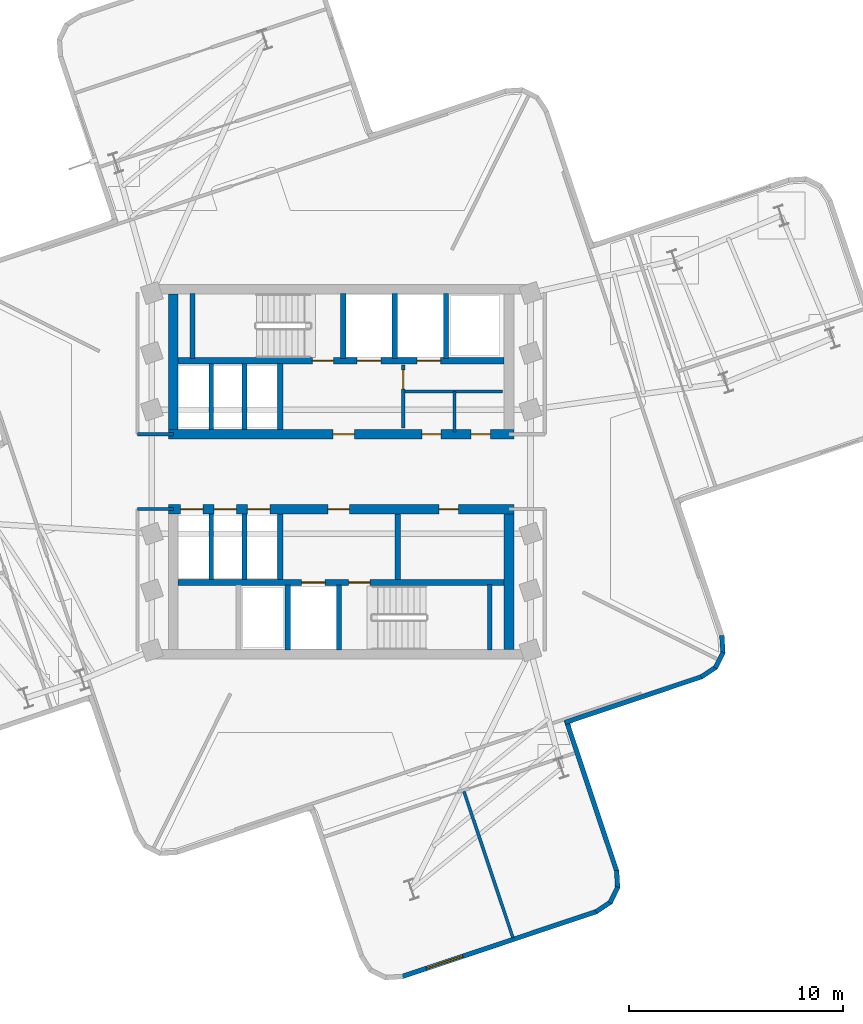
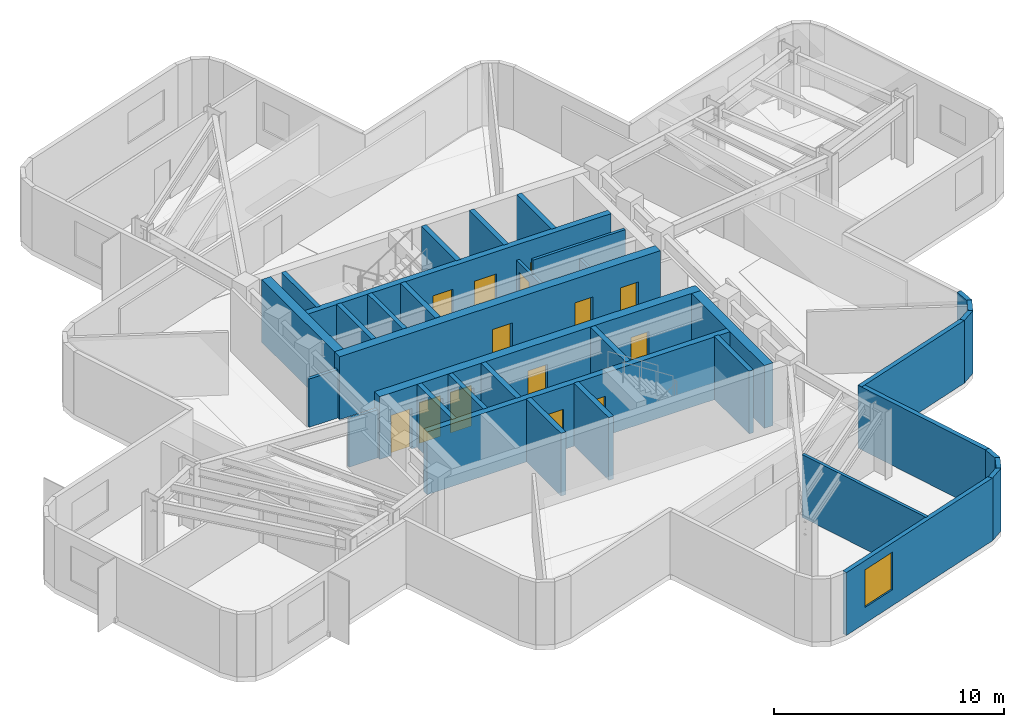
# One storey, part 3 of 8: 35 walls, 14 doors, 1 window, 15 openings.
"""IFC4 building model written with IfcOpenShell, lengths in metres."""

from ifc_helpers import new_model, si_unit, direction, frame, frame_2d, origin, place, context, subcontext, project, spatial, rectangle, extrude, material, layer, layer_set, type_object, element, fill, save


model = new_model("IFC4")

# Units and contexts
model_context = context("Model", 3, precision=1e-05, world=origin(), true_north=direction((0.0, 1.0)))
body_context = subcontext(model_context, "Body", "Model", "MODEL_VIEW")
ifc_project = project(units=[si_unit("LENGTHUNIT", "METRE"), si_unit("AREAUNIT", "SQUARE_METRE"), si_unit("VOLUMEUNIT", "CUBIC_METRE"), si_unit("PLANEANGLEUNIT", "RADIAN"), si_unit("MASSUNIT", "GRAM", prefix="KILO")], contexts=[model_context])

# Site, building, storey
site_placement = place(None, origin())
site = spatial("IfcSite", under=ifc_project, at=site_placement, CompositionType="ELEMENT")
building_placement = place(site_placement, origin())
building = spatial("IfcBuilding", under=site, at=building_placement, Name="Solmarez Civic Tower", CompositionType="ELEMENT")
storey_placement = place(building_placement, frame((0.0, 0.0, 159.47998046875)))
storey = spatial("IfcBuildingStorey", under=building, at=storey_placement, Name="L42", CompositionType="ELEMENT", Elevation=159.47998046875)

# Wall, openings, doors
ifc_material_1 = material(Name="Concrete C50/60", Category="concrete")
ifc_layer_1 = layer(ifc_material_1, 0.449951171875)
ifc_layer_set_1 = layer_set([ifc_layer_1], Name="Concrete C50/60")
wall_type_1 = type_object("IfcWallType", Name="WALL-CORE-450", PredefinedType="SHEAR", material=ifc_layer_set_1)
wall_1_placement = place(storey_placement, frame((8.070068359375, 1.75, 0.0), z_axis=(0.0, 0.0, 1.0), x_axis=(-1.0, 0.0, 0.0)))
wall_1 = element("IfcWall", 1, at=wall_1_placement, inside=storey, type_object=wall_type_1, Name="L42 Split-Core Structural Wall NCW-S-L42", PredefinedType="SHEAR", context=body_context, shape_type="SweptSolid", body=[
    extrude(rectangle(XDim=16.14013671875, YDim=0.449951171875, at=frame_2d((8.070068359375, 0.0))), origin(), (0.0, 0.0, 1.0), 3.340087890625),
])
opening_1_placement = place(wall_1_placement, frame((7.449951171875, 0.0, 0.0)))
opening_1 = element("IfcOpeningElement", 2, at=opening_1_placement, cuts=wall_1, Name="Opening D-04", PredefinedType="OPENING", context=body_context, shape_type="SweptSolid", body=[
    extrude(rectangle(XDim=1.0, YDim=2.10009765625, at=frame_2d((0.5, 1.050048828125))), frame((0.0, 0.23486328125, 0.0), z_axis=(0.0, -1.0, 0.0), x_axis=(1.0, 0.0, 0.0)), (0.0, 0.0, 1.0), 0.469970703125),
])
opening_2_placement = place(wall_1_placement, frame((3.39990234375, 0.0, 0.0)))
opening_2 = element("IfcOpeningElement", 3, at=opening_2_placement, cuts=wall_1, Name="Opening D-09", PredefinedType="OPENING", context=body_context, shape_type="SweptSolid", body=[
    extrude(rectangle(XDim=0.89990234375, YDim=2.06005859375, at=frame_2d((0.449951171875, 1.030029296875))), frame((0.0, 0.23486328125, 0.0), z_axis=(0.0, -1.0, 0.0), x_axis=(1.0, 0.0, 0.0)), (0.0, 0.0, 1.0), 0.469970703125),
])
opening_3_placement = place(wall_1_placement, frame((1.10009765625, 0.0, 0.0)))
opening_3 = element("IfcOpeningElement", 4, at=opening_3_placement, cuts=wall_1, Name="Opening D-09", PredefinedType="OPENING", context=body_context, shape_type="SweptSolid", body=[
    extrude(rectangle(XDim=0.89990234375, YDim=2.06005859375, at=frame_2d((0.449951171875, 1.030029296875))), frame((0.0, 0.23486328125, 0.0), z_axis=(0.0, -1.0, 0.0), x_axis=(1.0, 0.0, 0.0)), (0.0, 0.0, 1.0), 0.469970703125),
])
ifc_material_2 = material(Name="Steel-Faced Acoustic Fire Door", Category="steel")
door_type_1 = type_object("IfcDoorType", Name="DOOR-FD60-1000", OperationType="NOTDEFINED", PredefinedType="DOOR", material=ifc_material_2)
door_1_placement = place(opening_1_placement, origin())
door_1 = element("IfcDoor", 5, at=door_1_placement, inside=storey, type_object=door_type_1, Name="L42 North Firefighting Lobby Door", OperationType="SINGLE_SWING_LEFT", OverallHeight=2.10009765625, OverallWidth=1.0, PredefinedType="DOOR", context=body_context, shape_type="SweptSolid", body=[
    extrude(rectangle(XDim=1.0, YDim=2.10009765625, at=frame_2d((0.5, 1.050048828125))), frame((0.0, 0.02490234375, 0.0), z_axis=(0.0, -1.0, 0.0), x_axis=(1.0, 0.0, 0.0)), (0.0, 0.0, 1.0), 0.050048828125),
])
fill(opening_1, door_1)
ifc_material_3 = material(Name="Fire-Rated Service Core Door", Category="wood")
door_type_2 = type_object("IfcDoorType", Name="DOOR-FD60-900", OperationType="NOTDEFINED", PredefinedType="DOOR", material=ifc_material_3)
door_2_placement = place(opening_2_placement, origin())
door_2 = element("IfcDoor", 6, at=door_2_placement, inside=storey, type_object=door_type_2, Name="L42 Core WC Door", OperationType="SINGLE_SWING_LEFT", OverallHeight=2.06005859375, OverallWidth=0.89990234375, PredefinedType="DOOR", context=body_context, shape_type="SweptSolid", body=[
    extrude(rectangle(XDim=0.89990234375, YDim=2.06005859375, at=frame_2d((0.449951171875, 1.030029296875))), frame((0.0, 0.02490234375, 0.0), z_axis=(0.0, -1.0, 0.0), x_axis=(1.0, 0.0, 0.0)), (0.0, 0.0, 1.0), 0.050048828125),
])
fill(opening_2, door_2)
door_3_placement = place(opening_3_placement, origin())
door_3 = element("IfcDoor", 7, at=door_3_placement, inside=storey, type_object=door_type_2, Name="L42 Core CL Door", OperationType="SINGLE_SWING_RIGHT", OverallHeight=2.06005859375, OverallWidth=0.89990234375, PredefinedType="DOOR", context=body_context, shape_type="SweptSolid", body=[
    extrude(rectangle(XDim=0.89990234375, YDim=2.06005859375, at=frame_2d((0.449951171875, 1.030029296875))), frame((0.0, 0.02490234375, 0.0), z_axis=(0.0, -1.0, 0.0), x_axis=(1.0, 0.0, 0.0)), (0.0, 0.0, 1.0), 0.050048828125),
])
fill(opening_3, door_3)

# Wall
wall_2_placement = place(storey_placement, frame((-7.844970703125, 1.97509765625, 0.0), z_axis=(0.0, 0.0, 1.0), x_axis=(0.0, 1.0, 0.0)))
element("IfcWall", 8, at=wall_2_placement, inside=storey, type_object=wall_type_1, Name="L42 Split-Core Structural Wall NCW-W-L42", PredefinedType="SHEAR", context=body_context, shape_type="SweptSolid", body=[
    extrude(rectangle(XDim=6.3349609375, YDim=0.449951171875, at=frame_2d((3.16748046875, 0.0))), origin(), (0.0, 0.0, 1.0), 3.340087890625),
])

# Wall, openings, doors
wall_3_placement = place(storey_placement, frame((-8.070068359375, -1.75, 0.0), z_axis=(0.0, 0.0, 1.0), x_axis=(1.0, 0.0, 0.0)))
wall_3 = element("IfcWall", 9, at=wall_3_placement, inside=storey, type_object=wall_type_1, Name="L42 Split-Core Structural Wall SCW-N-L42", PredefinedType="SHEAR", context=body_context, shape_type="SweptSolid", body=[
    extrude(rectangle(XDim=16.14013671875, YDim=0.449951171875, at=frame_2d((8.070068359375, 0.0))), origin(), (0.0, 0.0, 1.0), 3.340087890625),
])
opening_4_placement = place(wall_3_placement, frame((7.449951171875, 0.0, 0.0)))
opening_4 = element("IfcOpeningElement", 10, at=opening_4_placement, cuts=wall_3, Name="Opening D-04", PredefinedType="OPENING", context=body_context, shape_type="SweptSolid", body=[
    extrude(rectangle(XDim=1.0, YDim=2.10009765625, at=frame_2d((0.5, 1.050048828125))), frame((0.0, 0.23486328125, 0.0), z_axis=(0.0, -1.0, 0.0), x_axis=(1.0, 0.0, 0.0)), (0.0, 0.0, 1.0), 0.469970703125),
])
opening_5_placement = place(wall_3_placement, frame((12.64990234375, 0.0, 0.0)))
opening_5 = element("IfcOpeningElement", 11, at=opening_5_placement, cuts=wall_3, Name="Opening D-09", PredefinedType="OPENING", context=body_context, shape_type="SweptSolid", body=[
    extrude(rectangle(XDim=0.89990234375, YDim=2.06005859375, at=frame_2d((0.449951171875, 1.030029296875))), frame((0.0, 0.23486328125, 0.0), z_axis=(0.0, -1.0, 0.0), x_axis=(1.0, 0.0, 0.0)), (0.0, 0.0, 1.0), 0.469970703125),
])
opening_6_placement = place(wall_3_placement, frame((0.56494140625, 0.0, 0.0)))
opening_6 = element("IfcOpeningElement", 12, at=opening_6_placement, cuts=wall_3, Name="Opening LD-01", PredefinedType="OPENING", context=body_context, shape_type="SweptSolid", body=[
    extrude(rectangle(XDim=1.050048828125, YDim=2.14990234375, at=frame_2d((0.52490234375, 1.074951171875))), frame((0.0, 0.23486328125, 0.0), z_axis=(0.0, -1.0, 0.0), x_axis=(1.0, 0.0, 0.0)), (0.0, 0.0, 1.0), 0.469970703125),
])
opening_7_placement = place(wall_3_placement, frame((2.125, 0.0, 0.0)))
opening_7 = element("IfcOpeningElement", 13, at=opening_7_placement, cuts=wall_3, Name="Opening LD-01", PredefinedType="OPENING", context=body_context, shape_type="SweptSolid", body=[
    extrude(rectangle(XDim=1.050048828125, YDim=2.14990234375, at=frame_2d((0.52490234375, 1.074951171875))), frame((0.0, 0.23486328125, 0.0), z_axis=(0.0, -1.0, 0.0), x_axis=(1.0, 0.0, 0.0)), (0.0, 0.0, 1.0), 0.469970703125),
])
opening_8_placement = place(wall_3_placement, frame((3.68505859375, 0.0, 0.0)))
opening_8 = element("IfcOpeningElement", 14, at=opening_8_placement, cuts=wall_3, Name="Opening LD-01", PredefinedType="OPENING", context=body_context, shape_type="SweptSolid", body=[
    extrude(rectangle(XDim=1.050048828125, YDim=2.14990234375, at=frame_2d((0.52490234375, 1.074951171875))), frame((0.0, 0.23486328125, 0.0), z_axis=(0.0, -1.0, 0.0), x_axis=(1.0, 0.0, 0.0)), (0.0, 0.0, 1.0), 0.469970703125),
])
door_4_placement = place(opening_4_placement, origin())
door_4 = element("IfcDoor", 15, at=door_4_placement, inside=storey, type_object=door_type_1, Name="L42 South Firefighting Lobby Door", OperationType="SINGLE_SWING_RIGHT", OverallHeight=2.10009765625, OverallWidth=1.0, PredefinedType="DOOR", context=body_context, shape_type="SweptSolid", body=[
    extrude(rectangle(XDim=1.0, YDim=2.10009765625, at=frame_2d((0.5, 1.050048828125))), frame((0.0, 0.02490234375, 0.0), z_axis=(0.0, -1.0, 0.0), x_axis=(1.0, 0.0, 0.0)), (0.0, 0.0, 1.0), 0.050048828125),
])
fill(opening_4, door_4)
door_5_placement = place(opening_5_placement, origin())
door_5 = element("IfcDoor", 16, at=door_5_placement, inside=storey, type_object=door_type_2, Name="L42 Freed Hoistway Mailroom Door", OperationType="SINGLE_SWING_LEFT", OverallHeight=2.06005859375, OverallWidth=0.89990234375, PredefinedType="DOOR", context=body_context, shape_type="SweptSolid", body=[
    extrude(rectangle(XDim=0.89990234375, YDim=2.06005859375, at=frame_2d((0.449951171875, 1.030029296875))), frame((0.0, 0.02490234375, 0.0), z_axis=(0.0, -1.0, 0.0), x_axis=(1.0, 0.0, 0.0)), (0.0, 0.0, 1.0), 0.050048828125),
])
fill(opening_5, door_5)
ifc_material_4 = material(Name="Bronze Passenger Lift Landing Sliding Door", Category="aluminium")
door_type_3 = type_object("IfcDoorType", Name="DOOR-LD-PAX-1050", OperationType="DOUBLE_DOOR_SLIDING", PredefinedType="DOOR", material=ifc_material_4)
door_6_placement = place(opening_6_placement, origin())
door_6 = element("IfcDoor", 17, at=door_6_placement, inside=storey, type_object=door_type_3, Name="L42 Mid-Rise Lift Landing Door PL-M1", OperationType="DOUBLE_DOOR_SLIDING", OverallHeight=2.14990234375, OverallWidth=1.050048828125, PredefinedType="DOOR", context=body_context, shape_type="SweptSolid", body=[
    extrude(rectangle(XDim=1.050048828125, YDim=2.14990234375, at=frame_2d((0.52490234375, 1.074951171875))), frame((0.0, 0.02490234375, 0.0), z_axis=(0.0, -1.0, 0.0), x_axis=(1.0, 0.0, 0.0)), (0.0, 0.0, 1.0), 0.050048828125),
])
fill(opening_6, door_6)
door_7_placement = place(opening_7_placement, origin())
door_7 = element("IfcDoor", 18, at=door_7_placement, inside=storey, type_object=door_type_3, Name="L42 Mid-Rise Lift Landing Door PL-M2", OperationType="DOUBLE_DOOR_SLIDING", OverallHeight=2.14990234375, OverallWidth=1.050048828125, PredefinedType="DOOR", context=body_context, shape_type="SweptSolid", body=[
    extrude(rectangle(XDim=1.050048828125, YDim=2.14990234375, at=frame_2d((0.52490234375, 1.074951171875))), frame((0.0, 0.02490234375, 0.0), z_axis=(0.0, -1.0, 0.0), x_axis=(1.0, 0.0, 0.0)), (0.0, 0.0, 1.0), 0.050048828125),
])
fill(opening_7, door_7)
door_8_placement = place(opening_8_placement, origin())
door_8 = element("IfcDoor", 19, at=door_8_placement, inside=storey, type_object=door_type_3, Name="L42 Mid-Rise Lift Landing Door PL-M3", OperationType="DOUBLE_DOOR_SLIDING", OverallHeight=2.14990234375, OverallWidth=1.050048828125, PredefinedType="DOOR", context=body_context, shape_type="SweptSolid", body=[
    extrude(rectangle(XDim=1.050048828125, YDim=2.14990234375, at=frame_2d((0.52490234375, 1.074951171875))), frame((0.0, 0.02490234375, 0.0), z_axis=(0.0, -1.0, 0.0), x_axis=(1.0, 0.0, 0.0)), (0.0, 0.0, 1.0), 0.050048828125),
])
fill(opening_8, door_8)

# Walls
wall_4_placement = place(storey_placement, frame((7.844970703125, -1.97509765625, 0.0), z_axis=(0.0, 0.0, 1.0), x_axis=(0.0, -1.0, 0.0)))
element("IfcWall", 20, at=wall_4_placement, inside=storey, type_object=wall_type_1, Name="L42 Split-Core Structural Wall SCW-E-L42", PredefinedType="SHEAR", context=body_context, shape_type="SweptSolid", body=[
    extrude(rectangle(XDim=6.3349609375, YDim=0.449951171875, at=frame_2d((3.16748046875, 0.0))), origin(), (0.0, 0.0, 1.0), 3.340087890625),
])
ifc_material_5 = material(Name="Precast concrete C40/50", Category="concrete")
ifc_layer_2 = layer(ifc_material_5, 0.219970703125)
ifc_layer_set_2 = layer_set([ifc_layer_2], Name="Precast concrete C40/50")
wall_type_2 = type_object("IfcWallType", Name="WALL-EXT-220", PredefinedType="SOLIDWALL", material=ifc_layer_set_2)
wall_5_placement = place(storey_placement, frame((17.7958984375, -7.659912109375, 0.0), z_axis=(0.0, 0.0, 1.0), x_axis=(0.062305442082, -0.998057128569, 0.0)))
element("IfcWall", 21, at=wall_5_placement, inside=storey, type_object=wall_type_2, Name="L42 Exterior Precast Wall 50", PredefinedType="SOLIDWALL", context=body_context, shape_type="SweptSolid", body=[
    extrude(rectangle(XDim=0.834716796875, YDim=0.219970703125, at=frame_2d((0.41748046875, 0.0))), origin(), (0.0, 0.0, 1.0), 3.340087890625),
])
wall_6_placement = place(storey_placement, frame((17.85693359375, -8.446044921875, 0.0), z_axis=(0.0, 0.0, 1.0), x_axis=(-0.446258139106, -0.894904281631, 0.0)))
element("IfcWall", 22, at=wall_6_placement, inside=storey, type_object=wall_type_2, Name="L42 Exterior Precast Wall 51", PredefinedType="SOLIDWALL", context=body_context, shape_type="SweptSolid", body=[
    extrude(rectangle(XDim=0.81787109375, YDim=0.219970703125, at=frame_2d((0.408935546875, 0.0))), origin(), (0.0, 0.0, 1.0), 3.340087890625),
])
wall_7_placement = place(storey_placement, frame((17.52392578125, -9.14208984375, 0.0), z_axis=(0.0, 0.0, 1.0), x_axis=(-0.833756011094, -0.552133058206, 0.0)))
element("IfcWall", 23, at=wall_7_placement, inside=storey, type_object=wall_type_2, Name="L42 Exterior Precast Wall 52", PredefinedType="SOLIDWALL", context=body_context, shape_type="SweptSolid", body=[
    extrude(rectangle(XDim=0.834716796875, YDim=0.219970703125, at=frame_2d((0.41748046875, 0.0))), origin(), (0.0, 0.0, 1.0), 3.340087890625),
])
wall_8_placement = place(storey_placement, frame((16.873046875, -9.5810546875, 0.0), z_axis=(0.0, 0.0, 1.0), x_axis=(-0.94829606055, -0.317387116224, 0.0)))
element("IfcWall", 24, at=wall_8_placement, inside=storey, type_object=wall_type_2, Name="L42 Exterior Precast Wall 53", PredefinedType="SOLIDWALL", context=body_context, shape_type="SweptSolid", body=[
    extrude(rectangle(XDim=6.75830078125, YDim=0.219970703125, at=frame_2d((3.379150390625, 0.0))), origin(), (0.0, 0.0, 1.0), 3.340087890625),
])
wall_9_placement = place(storey_placement, frame((10.51904296875, -11.614990234375, 0.0), z_axis=(0.0, 0.0, 1.0), x_axis=(0.317347016501, -0.948309480664, 0.0)))
element("IfcWall", 25, at=wall_9_placement, inside=storey, type_object=wall_type_2, Name="L42 Exterior Precast Wall 56", PredefinedType="SOLIDWALL", context=body_context, shape_type="SweptSolid", body=[
    extrude(rectangle(XDim=7.45849609375, YDim=0.219970703125, at=frame_2d((3.729248046875, 0.0))), origin(), (0.0, 0.0, 1.0), 3.340087890625),
])
wall_10_placement = place(storey_placement, frame((12.876953125, -18.638916015625, 0.0), z_axis=(0.0, 0.0, 1.0), x_axis=(0.05880777677, -0.998269325078, 0.0)))
element("IfcWall", 26, at=wall_10_placement, inside=storey, type_object=wall_type_2, Name="L42 Exterior Precast Wall 57", PredefinedType="SOLIDWALL", context=body_context, shape_type="SweptSolid", body=[
    extrude(rectangle(XDim=0.83447265625, YDim=0.219970703125, at=frame_2d((0.417236328125, 0.0))), origin(), (0.0, 0.0, 1.0), 3.340087890625),
])
wall_11_placement = place(storey_placement, frame((12.93603515625, -19.425048828125, 0.0), z_axis=(0.0, 0.0, 1.0), x_axis=(-0.446258139106, -0.894904281631, 0.0)))
element("IfcWall", 27, at=wall_11_placement, inside=storey, type_object=wall_type_2, Name="L42 Exterior Precast Wall 58", PredefinedType="SOLIDWALL", context=body_context, shape_type="SweptSolid", body=[
    extrude(rectangle(XDim=0.81787109375, YDim=0.219970703125, at=frame_2d((0.408935546875, 0.0))), origin(), (0.0, 0.0, 1.0), 3.340087890625),
])
wall_12_placement = place(storey_placement, frame((12.60302734375, -20.12109375, 0.0), z_axis=(0.0, 0.0, 1.0), x_axis=(-0.833756011094, -0.552133058206, 0.0)))
element("IfcWall", 28, at=wall_12_placement, inside=storey, type_object=wall_type_2, Name="L42 Exterior Precast Wall 59", PredefinedType="SOLIDWALL", context=body_context, shape_type="SweptSolid", body=[
    extrude(rectangle(XDim=0.834716796875, YDim=0.219970703125, at=frame_2d((0.41748046875, 0.0))), origin(), (0.0, 0.0, 1.0), 3.340087890625),
])

# Wall, opening, window
wall_13_placement = place(storey_placement, frame((11.951904296875, -20.56005859375, 0.0), z_axis=(0.0, 0.0, 1.0), x_axis=(-0.94831980895, -0.317316151421, 0.0)))
wall_13 = element("IfcWall", 29, at=wall_13_placement, inside=storey, type_object=wall_type_2, Name="L42 Exterior Precast Wall 60", PredefinedType="SOLIDWALL", context=body_context, shape_type="SweptSolid", body=[
    extrude(rectangle(XDim=9.621337890625, YDim=0.219970703125, at=frame_2d((4.810546875, 0.0))), origin(), (0.0, 0.0, 1.0), 3.340087890625),
])
opening_9_placement = place(wall_13_placement, frame((6.60498046875, 0.0, 0.85009765625)))
opening_9 = element("IfcOpeningElement", 30, at=opening_9_placement, cuts=wall_13, Name="Opening W-04", PredefinedType="OPENING", context=body_context, shape_type="SweptSolid", body=[
    extrude(rectangle(XDim=1.800048828125, YDim=2.0, at=frame_2d((0.89990234375, 1.0))), frame((0.0, 0.119873046875, 0.0), z_axis=(0.0, -1.0, 0.0), x_axis=(1.0, 0.0, 0.0)), (0.0, 0.0, 1.0), 0.239990234375),
])
ifc_material_6 = material(Name="Solar Control Bronze-Tinted Insulating Glass", Category="glass")
window_type = type_object("IfcWindowType", Name="WIN-1800X2000", PartitioningType="SINGLE_PANEL", PredefinedType="WINDOW", material=ifc_material_6)
window_placement = place(opening_9_placement, origin())
window = element("IfcWindow", 31, at=window_placement, inside=storey, type_object=window_type, Name="L42 Exterior Facade Window 60", OverallHeight=2.0, OverallWidth=1.800048828125, PartitioningType="SINGLE_PANEL", PredefinedType="WINDOW", context=body_context, shape_type="SweptSolid", body=[
    extrude(rectangle(XDim=1.800048828125, YDim=2.0, at=frame_2d((0.89990234375, 1.0))), frame((0.0, 0.030029296875, 0.0), z_axis=(0.0, -1.0, 0.0), x_axis=(1.0, 0.0, 0.0)), (0.0, 0.0, 1.0), 0.06005859375),
])
fill(opening_9, window)

# Walls
ifc_material_7 = material(Name="Gypsum Board Acoustic Steel-Stud Partition", Category="steel")
ifc_layer_3 = layer(ifc_material_7, 0.14990234375)
ifc_layer_set_3 = layer_set([ifc_layer_3], Name="Gypsum Board Acoustic Steel-Stud Partition")
wall_type_3 = type_object("IfcWallType", Name="WALL-INT-FIRE-150", PredefinedType="PARTITIONING", material=ifc_layer_set_3)
for number, where, z_axis, x_axis, name in (
    (32, (-7.85009765625, 1.75, 0.0), (0.0, 0.0, 1.0), (-1.0, 0.0, 0.0), "L42 Interior Partition CHW-L42-WN3"),
    (33, (-7.85009765625, -1.75, 0.0), (0.0, 0.0, 1.0), (-1.0, 0.0, 0.0), "L42 Interior Partition CHW-L42-WS3"),
):
    element("IfcWall", number, at=place(storey_placement, frame(where, z_axis=z_axis, x_axis=x_axis)), inside=storey, type_object=wall_type_3, Name=name, PredefinedType="PARTITIONING", context=body_context, shape_type="SweptSolid", body=[
        extrude(rectangle(XDim=1.669921875, YDim=0.14990234375, at=frame_2d((0.8349609375, 0.0))), origin(), (0.0, 0.0, 1.0), 2.570068359375),
    ])
ifc_layer_4 = layer(ifc_material_7, 0.14501953125)
ifc_layer_set_4 = layer_set([ifc_layer_4], Name="Gypsum Board Acoustic Steel-Stud Partition")
wall_type_4 = type_object("IfcWallType", Name="WALL-INT-PART-150", PredefinedType="PARTITIONING", material=ifc_layer_set_4)
wall_14_placement = place(storey_placement, frame((5.740966796875, -14.950927734375, 0.0), z_axis=(0.0, 0.0, 1.0), x_axis=(0.317273194857, -0.948334181513, 0.0)))
element("IfcWall", 34, at=wall_14_placement, inside=storey, type_object=wall_type_4, Name="L42 Interior Partition PT-L42-S-TM3", PredefinedType="PARTITIONING", context=body_context, shape_type="SweptSolid", body=[
    extrude(rectangle(XDim=7.21484375, YDim=0.14501953125, at=frame_2d((3.607421875, 0.0))), origin(), (0.0, 0.0, 1.0), 3.340087890625),
])

# Wall, opening, door
ifc_layer_5 = layer(ifc_material_7, 0.159912109375)
ifc_layer_set_5 = layer_set([ifc_layer_5], Name="Gypsum Board Acoustic Steel-Stud Partition")
wall_type_5 = type_object("IfcWallType", Name="WALL-INT-SHAFT-160", PredefinedType="PARTITIONING", material=ifc_layer_set_5)
wall_15_placement = place(storey_placement, frame((2.89990234375, 2.0400390625, 0.0), z_axis=(0.0, 0.0, 1.0), x_axis=(0.0, 1.0, 0.0)))
wall_15 = element("IfcWall", 35, at=wall_15_placement, inside=storey, type_object=wall_type_5, Name="L42 Interior Partition SHW-NL2-L42", PredefinedType="PARTITIONING", context=body_context, shape_type="SweptSolid", body=[
    extrude(rectangle(XDim=2.93994140625, YDim=0.159912109375, at=frame_2d((1.469970703125, 0.0))), origin(), (0.0, 0.0, 1.0), 2.570068359375),
])
opening_10_placement = place(wall_15_placement, frame((1.820068359375, 0.0, 0.0)))
opening_10 = element("IfcOpeningElement", 36, at=opening_10_placement, cuts=wall_15, Name="Opening D-09", PredefinedType="OPENING", context=body_context, shape_type="SweptSolid", body=[
    extrude(rectangle(XDim=0.89990234375, YDim=2.06005859375, at=frame_2d((0.449951171875, 1.030029296875))), frame((0.0, 0.08984375, 0.0), z_axis=(0.0, -1.0, 0.0), x_axis=(1.0, 0.0, 0.0)), (0.0, 0.0, 1.0), 0.179931640625),
])
door_9_placement = place(opening_10_placement, origin())
door_9 = element("IfcDoor", 37, at=door_9_placement, inside=storey, type_object=door_type_2, Name="L42 Service Lift Lobby Door", OperationType="SINGLE_SWING_LEFT", OverallHeight=2.06005859375, OverallWidth=0.89990234375, PredefinedType="DOOR", context=body_context, shape_type="SweptSolid", body=[
    extrude(rectangle(XDim=0.89990234375, YDim=2.06005859375, at=frame_2d((0.449951171875, 1.030029296875))), frame((0.0, 0.02490234375, 0.0), z_axis=(0.0, -1.0, 0.0), x_axis=(1.0, 0.0, 0.0)), (0.0, 0.0, 1.0), 0.050048828125),
])
fill(opening_10, door_9)

# Walls
ifc_layer_6 = layer(ifc_material_7, 0.137939453125)
ifc_layer_set_6 = layer_set([ifc_layer_6], Name="Gypsum Board Acoustic Steel-Stud Partition")
wall_type_6 = type_object("IfcWallType", Name="WALL-INT-WET-140", PredefinedType="PARTITIONING", material=ifc_layer_set_6)
wall_16_placement = place(storey_placement, frame((2.89990234375, 3.739990234375, 0.0), z_axis=(0.0, 0.0, 1.0), x_axis=(1.0, 0.0, 0.0)))
element("IfcWall", 38, at=wall_16_placement, inside=storey, type_object=wall_type_6, Name="L42 Interior Partition SHW-SVH-L42", PredefinedType="PARTITIONING", context=body_context, shape_type="SweptSolid", body=[
    extrude(rectangle(XDim=4.650146484375, YDim=0.137939453125, at=frame_2d((2.3251953125, 0.0))), origin(), (0.0, 0.0, 1.0), 3.340087890625),
])
wall_17_placement = place(storey_placement, frame((5.300048828125, 1.85009765625, 0.0), z_axis=(0.0, 0.0, 1.0), x_axis=(0.0, 1.0, 0.0)))
element("IfcWall", 39, at=wall_17_placement, inside=storey, type_object=wall_type_6, Name="L42 Interior Partition PT-NCSV-L42", PredefinedType="PARTITIONING", context=body_context, shape_type="SweptSolid", body=[
    extrude(rectangle(XDim=1.889892578125, YDim=0.137939453125, at=frame_2d((0.94482421875, 0.0))), origin(), (0.0, 0.0, 1.0), 2.570068359375),
])

# Wall, openings, doors
ifc_layer_7 = layer(ifc_material_1, 0.300048828125)
ifc_layer_set_7 = layer_set([ifc_layer_7], Name="Concrete C50/60")
wall_type_7 = type_object("IfcWallType", Name="WALL-STR-300", PredefinedType="SOLIDWALL", material=ifc_layer_set_7)
wall_18_placement = place(storey_placement, frame((7.6201171875, 5.179931640625, 0.0), z_axis=(0.0, 0.0, 1.0), x_axis=(-1.0, 0.0, 0.0)))
wall_18 = element("IfcWall", 40, at=wall_18_placement, inside=storey, type_object=wall_type_7, Name="L42 Split-Core Structural Wall NCW-M-L42", PredefinedType="SOLIDWALL", context=body_context, shape_type="SweptSolid", body=[
    extrude(rectangle(XDim=15.240234375, YDim=0.300048828125, at=frame_2d((7.6201171875, 0.0))), origin(), (0.0, 0.0, 1.0), 3.340087890625),
])
opening_11_placement = place(wall_18_placement, frame((5.77001953125, 0.0, 0.0)))
opening_11 = element("IfcOpeningElement", 41, at=opening_11_placement, cuts=wall_18, Name="Opening LD-02", PredefinedType="OPENING", context=body_context, shape_type="SweptSolid", body=[
    extrude(rectangle(XDim=1.10009765625, YDim=2.14990234375, at=frame_2d((0.550048828125, 1.074951171875))), frame((0.0, 0.159912109375, 0.0), z_axis=(0.0, -1.0, 0.0), x_axis=(1.0, 0.0, 0.0)), (0.0, 0.0, 1.0), 0.320068359375),
])
opening_12_placement = place(wall_18_placement, frame((2.969970703125, 0.0, 0.0)))
opening_12 = element("IfcOpeningElement", 42, at=opening_12_placement, cuts=wall_18, Name="Opening LD-03", PredefinedType="OPENING", context=body_context, shape_type="SweptSolid", body=[
    extrude(rectangle(XDim=1.10009765625, YDim=2.14990234375, at=frame_2d((0.550048828125, 1.074951171875))), frame((0.0, 0.159912109375, 0.0), z_axis=(0.0, -1.0, 0.0), x_axis=(1.0, 0.0, 0.0)), (0.0, 0.0, 1.0), 0.320068359375),
])
opening_13_placement = place(wall_18_placement, frame((7.969970703125, 0.0, 0.0)))
opening_13 = element("IfcOpeningElement", 43, at=opening_13_placement, cuts=wall_18, Name="Opening D-05", PredefinedType="OPENING", context=body_context, shape_type="SweptSolid", body=[
    extrude(rectangle(XDim=1.0, YDim=2.10009765625, at=frame_2d((0.5, 1.050048828125))), frame((0.0, 0.159912109375, 0.0), z_axis=(0.0, -1.0, 0.0), x_axis=(1.0, 0.0, 0.0)), (0.0, 0.0, 1.0), 0.320068359375),
])
ifc_material_8 = material(Name="Fire-Rated Stairwell Exit Door", Category="wood")
door_type_4 = type_object("IfcDoorType", Name="DOOR-FD90-1000", OperationType="NOTDEFINED", PredefinedType="DOOR", material=ifc_material_8)
door_10_placement = place(opening_13_placement, origin())
door_10 = element("IfcDoor", 44, at=door_10_placement, inside=storey, type_object=door_type_4, Name="L42 North Exit Stair Door ST-1", OperationType="SINGLE_SWING_LEFT", OverallHeight=2.10009765625, OverallWidth=1.0, PredefinedType="DOOR", context=body_context, shape_type="SweptSolid", body=[
    extrude(rectangle(XDim=1.0, YDim=2.10009765625, at=frame_2d((0.5, 1.050048828125))), frame((0.0, 0.02490234375, 0.0), z_axis=(0.0, -1.0, 0.0), x_axis=(1.0, 0.0, 0.0)), (0.0, 0.0, 1.0), 0.050048828125),
])
fill(opening_13, door_10)
ifc_material_9 = material(Name="Stainless Firefighting Lift Landing Sliding Door", Category="aluminium")
door_type_5 = type_object("IfcDoorType", Name="DOOR-LD-FF-1100", OperationType="DOUBLE_DOOR_SLIDING", PredefinedType="DOOR", material=ifc_material_9)
door_11_placement = place(opening_11_placement, origin())
door_11 = element("IfcDoor", 45, at=door_11_placement, inside=storey, type_object=door_type_5, Name="L42 Firefighting Lift Landing Door FFL-1", OperationType="DOUBLE_DOOR_SLIDING", OverallHeight=2.14990234375, OverallWidth=1.10009765625, PredefinedType="DOOR", context=body_context, shape_type="SweptSolid", body=[
    extrude(rectangle(XDim=1.10009765625, YDim=2.14990234375, at=frame_2d((0.550048828125, 1.074951171875))), frame((0.0, 0.02490234375, 0.0), z_axis=(0.0, -1.0, 0.0), x_axis=(1.0, 0.0, 0.0)), (0.0, 0.0, 1.0), 0.050048828125),
])
fill(opening_11, door_11)
ifc_material_10 = material(Name="Stainless Stretcher Lift Landing Sliding Door", Category="aluminium")
door_type_6 = type_object("IfcDoorType", Name="DOOR-LD-SV-1100", OperationType="DOUBLE_DOOR_SLIDING", PredefinedType="DOOR", material=ifc_material_10)
door_12_placement = place(opening_12_placement, origin())
door_12 = element("IfcDoor", 46, at=door_12_placement, inside=storey, type_object=door_type_6, Name="L42 Service Stretcher Lift Landing Door SVL-1", OperationType="DOUBLE_DOOR_SLIDING", OverallHeight=2.14990234375, OverallWidth=1.10009765625, PredefinedType="DOOR", context=body_context, shape_type="SweptSolid", body=[
    extrude(rectangle(XDim=1.10009765625, YDim=2.14990234375, at=frame_2d((0.550048828125, 1.074951171875))), frame((0.0, 0.02490234375, 0.0), z_axis=(0.0, -1.0, 0.0), x_axis=(1.0, 0.0, 0.0)), (0.0, 0.0, 1.0), 0.050048828125),
])
fill(opening_12, door_12)

wall_19_placement = place(storey_placement, frame((-7.6201171875, -5.179931640625, 0.0), z_axis=(0.0, 0.0, 1.0), x_axis=(1.0, 0.0, 0.0)))
wall_19 = element("IfcWall", 47, at=wall_19_placement, inside=storey, type_object=wall_type_7, Name="L42 Split-Core Structural Wall SCW-M-L42", PredefinedType="SOLIDWALL", context=body_context, shape_type="SweptSolid", body=[
    extrude(rectangle(XDim=15.240234375, YDim=0.300048828125, at=frame_2d((7.6201171875, 0.0))), origin(), (0.0, 0.0, 1.0), 3.340087890625),
])
opening_14_placement = place(wall_19_placement, frame((5.77001953125, 0.0, 0.0)))
opening_14 = element("IfcOpeningElement", 48, at=opening_14_placement, cuts=wall_19, Name="Opening LD-02", PredefinedType="OPENING", context=body_context, shape_type="SweptSolid", body=[
    extrude(rectangle(XDim=1.10009765625, YDim=2.14990234375, at=frame_2d((0.550048828125, 1.074951171875))), frame((0.0, 0.159912109375, 0.0), z_axis=(0.0, -1.0, 0.0), x_axis=(1.0, 0.0, 0.0)), (0.0, 0.0, 1.0), 0.320068359375),
])
opening_15_placement = place(wall_19_placement, frame((7.969970703125, 0.0, 0.0)))
opening_15 = element("IfcOpeningElement", 49, at=opening_15_placement, cuts=wall_19, Name="Opening D-05", PredefinedType="OPENING", context=body_context, shape_type="SweptSolid", body=[
    extrude(rectangle(XDim=1.0, YDim=2.10009765625, at=frame_2d((0.5, 1.050048828125))), frame((0.0, 0.159912109375, 0.0), z_axis=(0.0, -1.0, 0.0), x_axis=(1.0, 0.0, 0.0)), (0.0, 0.0, 1.0), 0.320068359375),
])
door_13_placement = place(opening_15_placement, origin())
door_13 = element("IfcDoor", 50, at=door_13_placement, inside=storey, type_object=door_type_4, Name="L42 South Exit Stair Door ST-2", OperationType="SINGLE_SWING_RIGHT", OverallHeight=2.10009765625, OverallWidth=1.0, PredefinedType="DOOR", context=body_context, shape_type="SweptSolid", body=[
    extrude(rectangle(XDim=1.0, YDim=2.10009765625, at=frame_2d((0.5, 1.050048828125))), frame((0.0, 0.02490234375, 0.0), z_axis=(0.0, -1.0, 0.0), x_axis=(1.0, 0.0, 0.0)), (0.0, 0.0, 1.0), 0.050048828125),
])
fill(opening_15, door_13)
door_14_placement = place(opening_14_placement, origin())
door_14 = element("IfcDoor", 51, at=door_14_placement, inside=storey, type_object=door_type_5, Name="L42 Firefighting Lift Landing Door FFL-2", OperationType="DOUBLE_DOOR_SLIDING", OverallHeight=2.14990234375, OverallWidth=1.10009765625, PredefinedType="DOOR", context=body_context, shape_type="SweptSolid", body=[
    extrude(rectangle(XDim=1.10009765625, YDim=2.14990234375, at=frame_2d((0.550048828125, 1.074951171875))), frame((0.0, 0.02490234375, 0.0), z_axis=(0.0, -1.0, 0.0), x_axis=(1.0, 0.0, 0.0)), (0.0, 0.0, 1.0), 0.050048828125),
])
fill(opening_14, door_14)

# Walls
for number, where, z_axis, x_axis, name in (
    (52, (-6.949951171875, 5.280029296875, 0.0), (0.0, 0.0, 1.0), (0.0, 1.0, 0.0), "L42 Split-Core Structural Wall SHW-NW-L42"),
    (53, (6.949951171875, -8.340087890625, 0.0), (0.0, 0.0, 1.0), (0.0, 1.0, 0.0), "L42 Split-Core Structural Wall SHW-SE-L42"),
):
    element("IfcWall", number, at=place(storey_placement, frame(where, z_axis=z_axis, x_axis=x_axis)), inside=storey, type_object=wall_type_7, Name=name, PredefinedType="SOLIDWALL", context=body_context, shape_type="SweptSolid", body=[
        extrude(rectangle(XDim=3.06005859375, YDim=0.219970703125, at=frame_2d((1.530029296875, 0.0))), origin(), (0.0, 0.0, 1.0), 3.340087890625),
    ])
for number, where, z_axis, x_axis, name in (
    (54, (0.10009765625, 5.300048828125, 0.0), (0.0, 0.0, 1.0), (0.0, 1.0, 0.0), "L42 Split-Core Structural Wall SHW-N1-L42"),
    (55, (2.5, 5.300048828125, 0.0), (0.0, 0.0, 1.0), (0.0, 1.0, 0.0), "L42 Split-Core Structural Wall SHW-N2-L42"),
    (56, (4.89990234375, 5.300048828125, 0.0), (0.0, 0.0, 1.0), (0.0, 1.0, 0.0), "L42 Split-Core Structural Wall SHW-N3-L42"),
):
    element("IfcWall", number, at=place(storey_placement, frame(where, z_axis=z_axis, x_axis=x_axis)), inside=storey, type_object=wall_type_7, Name=name, PredefinedType="SOLIDWALL", context=body_context, shape_type="SweptSolid", body=[
        extrude(rectangle(XDim=3.0400390625, YDim=0.25, at=frame_2d((1.52001953125, 0.0))), origin(), (0.0, 0.0, 1.0), 3.340087890625),
    ])
wall_20_placement = place(storey_placement, frame((-2.85009765625, 1.97998046875, 0.0), z_axis=(0.0, 0.0, 1.0), x_axis=(0.0, 1.0, 0.0)))
element("IfcWall", 57, at=wall_20_placement, inside=storey, type_object=wall_type_7, Name="L42 Split-Core Structural Wall SHW-NL1-L42", PredefinedType="SOLIDWALL", context=body_context, shape_type="SweptSolid", body=[
    extrude(rectangle(XDim=3.070068359375, YDim=0.25, at=frame_2d((1.53515625, 0.0))), origin(), (0.0, 0.0, 1.0), 3.340087890625),
])
for number, where, z_axis, x_axis, name in (
    (58, (-0.10009765625, -8.340087890625, 0.0), (0.0, 0.0, 1.0), (0.0, 1.0, 0.0), "L42 Split-Core Structural Wall SHW-S1-L42"),
    (59, (-2.5, -8.340087890625, 0.0), (0.0, 0.0, 1.0), (0.0, 1.0, 0.0), "L42 Split-Core Structural Wall SHW-S2-L42"),
):
    element("IfcWall", number, at=place(storey_placement, frame(where, z_axis=z_axis, x_axis=x_axis)), inside=storey, type_object=wall_type_7, Name=name, PredefinedType="SOLIDWALL", context=body_context, shape_type="SweptSolid", body=[
        extrude(rectangle(XDim=3.0400390625, YDim=0.25, at=frame_2d((1.52001953125, 0.0))), origin(), (0.0, 0.0, 1.0), 3.340087890625),
    ])
for number, where, z_axis, x_axis, name in (
    (60, (-2.85009765625, -5.050048828125, 0.0), (0.0, 0.0, 1.0), (0.0, 1.0, 0.0), "L42 Split-Core Structural Wall SHW-SL1-L42"),
    (61, (2.64990234375, -5.050048828125, 0.0), (0.0, 0.0, 1.0), (0.0, 1.0, 0.0), "L42 Split-Core Structural Wall SHW-SL2-L42"),
):
    element("IfcWall", number, at=place(storey_placement, frame(where, z_axis=z_axis, x_axis=x_axis)), inside=storey, type_object=wall_type_7, Name=name, PredefinedType="SOLIDWALL", context=body_context, shape_type="SweptSolid", body=[
        extrude(rectangle(XDim=3.070068359375, YDim=0.25, at=frame_2d((1.53515625, 0.0))), origin(), (0.0, 0.0, 1.0), 3.340087890625),
    ])
for number, where, z_axis, x_axis, name in (
    (62, (-6.080078125, 1.97998046875, 0.0), (0.0, 0.0, 1.0), (0.0, 1.0, 0.0), "L42 Split-Core Structural Wall SHW-PLH-L42-1"),
    (63, (-4.52001953125, 1.97998046875, 0.0), (0.0, 0.0, 1.0), (0.0, 1.0, 0.0), "L42 Split-Core Structural Wall SHW-PLH-L42-2"),
    (64, (-6.080078125, -5.050048828125, 0.0), (0.0, 0.0, 1.0), (0.0, 1.0, 0.0), "L42 Split-Core Structural Wall SHW-PLM-L42-1"),
    (65, (-4.52001953125, -5.050048828125, 0.0), (0.0, 0.0, 1.0), (0.0, 1.0, 0.0), "L42 Split-Core Structural Wall SHW-PLM-L42-2"),
):
    element("IfcWall", number, at=place(storey_placement, frame(where, z_axis=z_axis, x_axis=x_axis)), inside=storey, type_object=wall_type_7, Name=name, PredefinedType="SOLIDWALL", context=body_context, shape_type="SweptSolid", body=[
        extrude(rectangle(XDim=3.070068359375, YDim=0.219970703125, at=frame_2d((1.53515625, 0.0))), origin(), (0.0, 0.0, 1.0), 3.340087890625),
    ])

save(model, "model.ifc")
